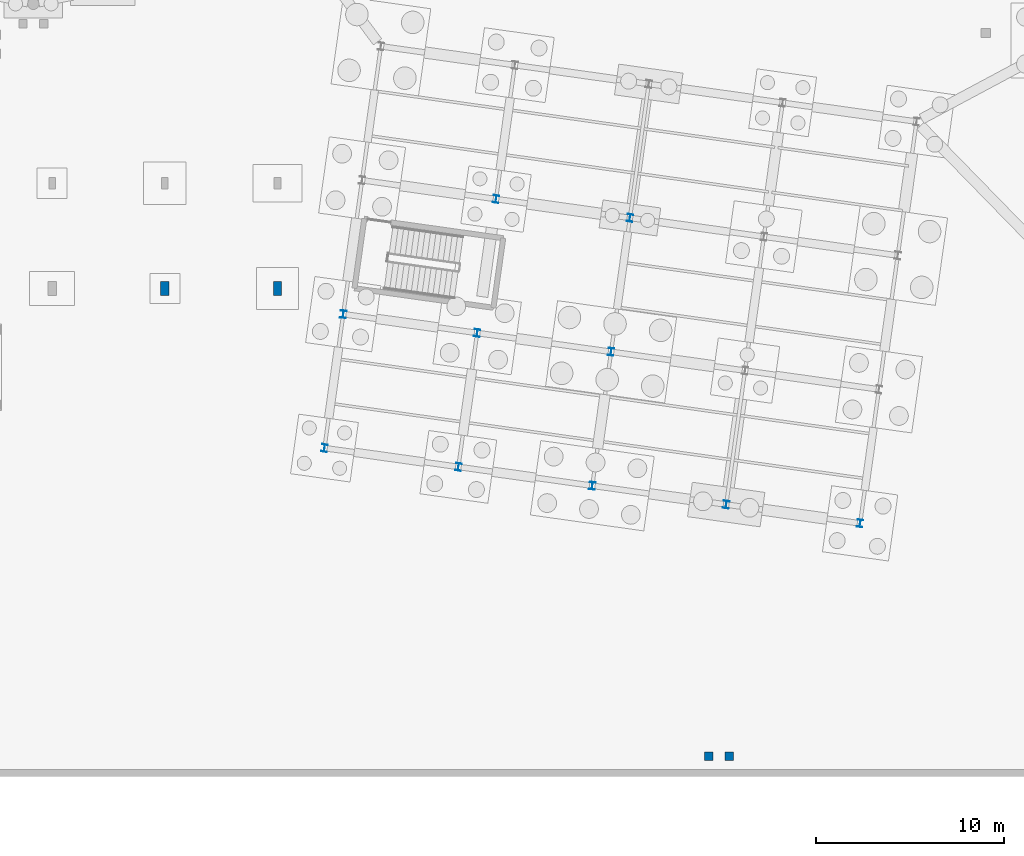
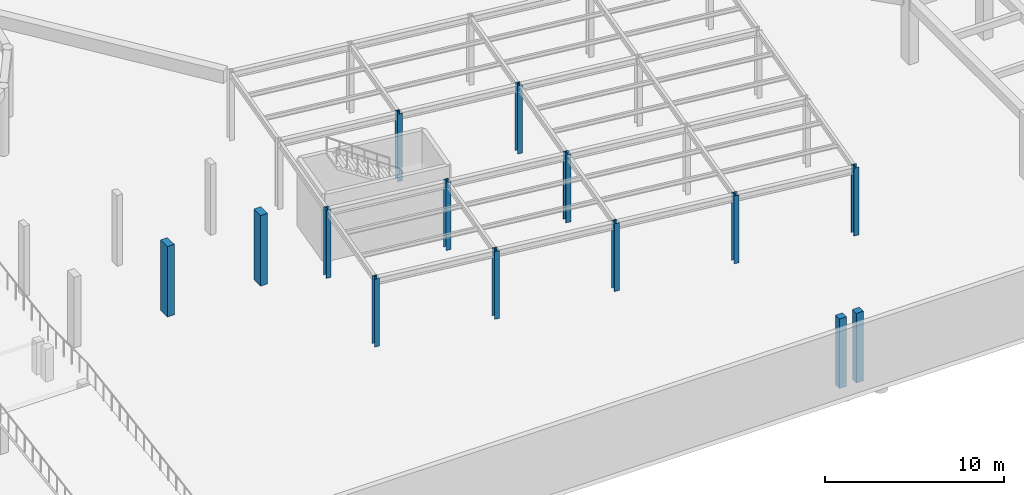
# One storey, part 13 of 34: 14 columns.
"""IFC4 building model written with IfcOpenShell, lengths in metres."""

from ifc_helpers import new_model, si_unit, direction, frame, origin, origin_2d, place, context, subcontext, project, spatial, rectangle, i_section, extrude, material, material_profile, profile_set, type_object, element, save


model = new_model("IFC4")

# Units and contexts
model_context = context("Model", 3, precision=1e-05, world=origin(), true_north=direction((0.0, 1.0)))
body_context = subcontext(model_context, "Body", "Model", "MODEL_VIEW")
ifc_project = project(units=[si_unit("LENGTHUNIT", "METRE"), si_unit("AREAUNIT", "SQUARE_METRE"), si_unit("VOLUMEUNIT", "CUBIC_METRE"), si_unit("PLANEANGLEUNIT", "RADIAN"), si_unit("MASSUNIT", "GRAM", prefix="KILO")], contexts=[model_context])

# Site, building, storey
site_placement = place(None, origin())
site = spatial("IfcSite", under=ifc_project, at=site_placement, CompositionType="ELEMENT")
building_placement = place(site_placement, origin())
building = spatial("IfcBuilding", under=site, at=building_placement, Name="Kharisveld Research Institute", CompositionType="ELEMENT")
storey_placement = place(building_placement, frame((0.0, 0.0, -4.800048828125)))
storey = spatial("IfcBuildingStorey", under=building, at=storey_placement, Name="B1", CompositionType="ELEMENT", Elevation=-4.800048828125)

# Columns
ifc_material_1 = material(Name="Concrete C40/50", Category="concrete")
ifc_material_profile_1 = material_profile(ifc_material_1, rectangle(XDim=0.449951171875, YDim=0.449951171875, at=origin_2d()))
ifc_profile_set_1 = profile_set([ifc_material_profile_1], Name="Concrete C40/50")
column_type_1 = type_object("IfcColumnType", Name="COL_RC_450", PredefinedType="COLUMN", material=ifc_profile_set_1)
for number, where, z_axis, x_axis, name in (
    (1, (95.449951171875, 1.10009765625, 0.0), (0.0, 0.0, 1.0), (1.0, 0.0, 0.0), "COL:B1:PEDRMP_S1_L"),
    (2, (96.550048828125, 1.10009765625, 0.0), (0.0, 0.0, 1.0), (1.0, 0.0, 0.0), "COL:B1:PEDRMP_S1_R"),
):
    element("IfcColumn", number, at=place(storey_placement, frame(where, z_axis=z_axis, x_axis=x_axis)), inside=storey, type_object=column_type_1, Name=name, PredefinedType="COLUMN", context=body_context, shape_type="SweptSolid", body=[
        extrude(rectangle(XDim=0.449951171875, YDim=0.449951171875, at=origin_2d()), origin(), (0.0, 0.0, 1.0), 4.739990234375),
    ])
ifc_material_2 = material(Name="Steel S355JR", Category="steel")
ifc_material_profile_2 = material_profile(ifc_material_2, i_section(OverallWidth=0.300048828125, OverallDepth=0.39990234375, WebThickness=0.013427734375, FlangeThickness=0.02392578125, at=origin_2d()))
ifc_profile_set_2 = profile_set([ifc_material_profile_2], Name="Steel S355JR")
column_type_2 = type_object("IfcColumnType", Name="COL_ST_HEB400", PredefinedType="COLUMN", material=ifc_profile_set_2)
for number, where, z_axis, x_axis, name in (
    (3, (75.0, 17.5, 0.0), (0.0, 0.0, 1.0), (0.990268068742, -0.13917310096, 0.0), "COL:V4:B1:U0V0"),
    (4, (76.001953125, 24.6298828125, 0.0), (0.0, 0.0, 1.0), (0.990268068742, -0.13917310096, 0.0), "COL:V4:B1:U0V1"),
    (5, (82.1298828125, 16.498046875, 0.0), (0.0, 0.0, 1.0), (0.990268068742, -0.13917310096, 0.0), "COL:V4:B1:U1V0"),
    (6, (83.132080078125, 23.6279296875, 0.0), (0.0, 0.0, 1.0), (0.990268068742, -0.13917310096, 0.0), "COL:V4:B1:U1V1"),
    (7, (84.134033203125, 30.7578125, 0.0), (0.0, 0.0, 1.0), (0.990268068742, -0.13917310096, 0.0), "COL:V4:B1:U1V2"),
    (8, (89.259765625, 15.495849609375, 0.0), (0.0, 0.0, 1.0), (0.990268068742, -0.13917310096, 0.0), "COL:V4:B1:U2V0"),
    (9, (90.261962890625, 22.625732421875, 0.0), (0.0, 0.0, 1.0), (0.990268068742, -0.13917310096, 0.0), "COL:V4:B1:U2V1"),
    (10, (91.263916015625, 29.755859375, 0.0), (0.0, 0.0, 1.0), (0.990268068742, -0.13917310096, 0.0), "COL:V4:B1:U2V2"),
    (11, (96.389892578125, 14.493896484375, 0.0), (0.0, 0.0, 1.0), (0.990268068742, -0.13917310096, 0.0), "COL:V4:B1:U3V0"),
    (12, (103.519775390625, 13.49169921875, 0.0), (0.0, 0.0, 1.0), (0.990268068742, -0.13917310096, 0.0), "COL:V4:B1:U4V0"),
):
    element("IfcColumn", number, at=place(storey_placement, frame(where, z_axis=z_axis, x_axis=x_axis)), inside=storey, type_object=column_type_2, Name=name, PredefinedType="COLUMN", context=body_context, shape_type="SweptSolid", body=[
        extrude(i_section(OverallWidth=0.300048828125, OverallDepth=0.39990234375, WebThickness=0.013427734375, FlangeThickness=0.02392578125, at=origin_2d()), origin(), (0.0, 0.0, 1.0), 4.610107421875),
    ])
ifc_material_3 = material(Name="Concrete C40/50", Category="concrete")
ifc_material_profile_3 = material_profile(ifc_material_3, rectangle(XDim=0.449951171875, YDim=0.75, at=origin_2d()))
ifc_profile_set_3 = profile_set([ifc_material_profile_3], Name="Concrete C40/50")
column_type_3 = type_object("IfcColumnType", Name="PIL_RC_450x750", PredefinedType="PILASTER", material=ifc_profile_set_3)
for number, where, z_axis, x_axis, name in (
    (13, (66.5, 26.0, 0.0), (0.0, 0.0, 1.0), (1.0, 0.0, 0.0), "PIL:ARC:B1:4_1"),
    (14, (72.5, 26.0, 0.0), (0.0, 0.0, 1.0), (1.0, 0.0, 0.0), "PIL:ARC:B1:5_1"),
):
    element("IfcColumn", number, at=place(storey_placement, frame(where, z_axis=z_axis, x_axis=x_axis)), inside=storey, type_object=column_type_3, Name=name, PredefinedType="PILASTER", context=body_context, shape_type="SweptSolid", body=[
        extrude(rectangle(XDim=0.449951171875, YDim=0.75, at=origin_2d()), origin(), (0.0, 0.0, 1.0), 4.800048828125),
    ])

save(model, "model.ifc")
